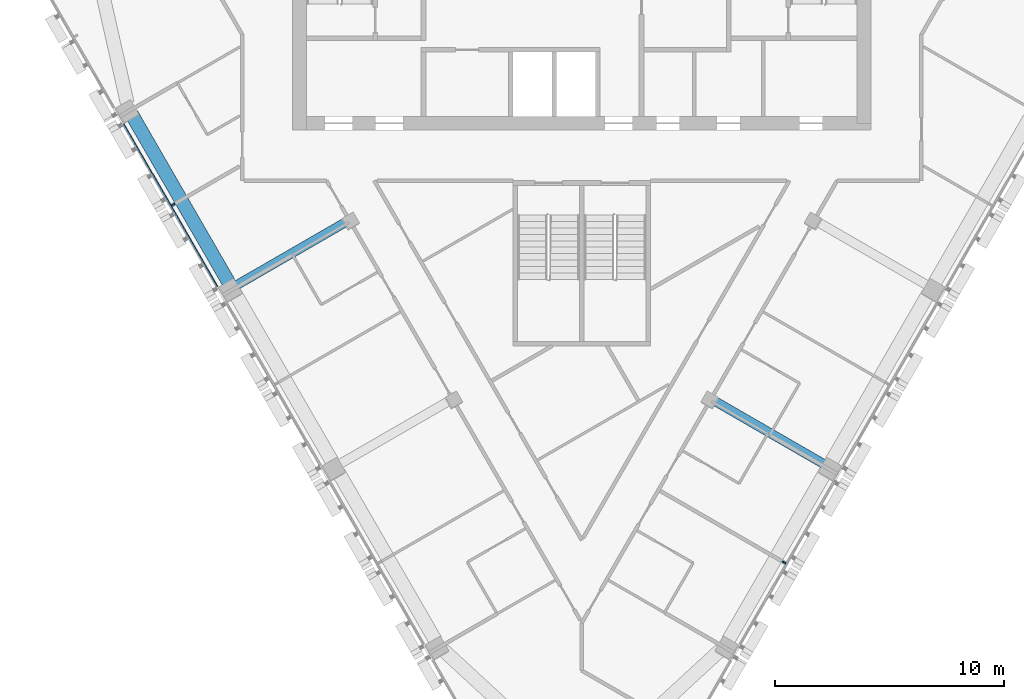
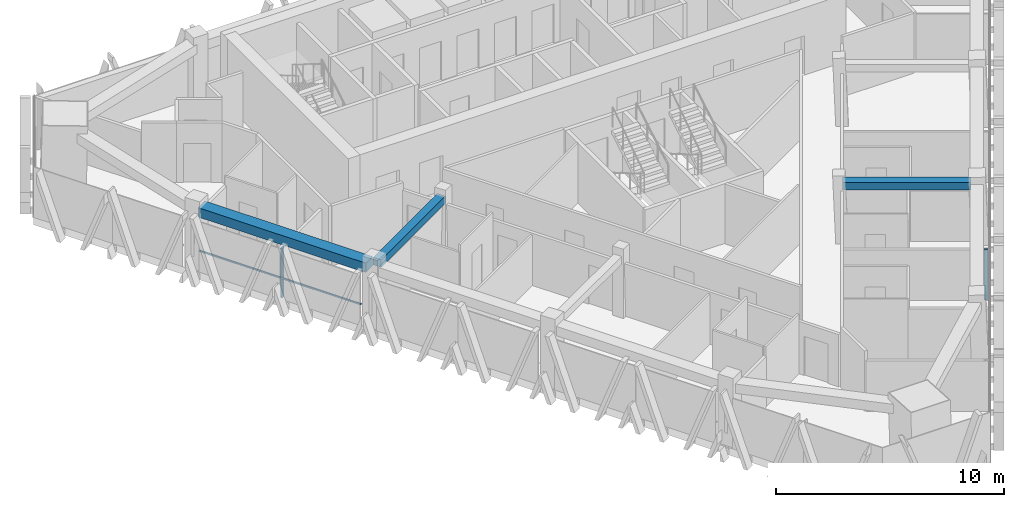
# One storey, part 3 of 14: 3 beams, 3 members, 2 elements without a shape of their own.
"""IFC4 building model written with IfcOpenShell, lengths in metres."""

from ifc_helpers import new_model, si_unit, direction, frame, origin, origin_2d, place, context, subcontext, project, spatial, rectangle, extrude, material, layer, layer_set, material_profile, profile_set, type_object, element, aggregate, save


model = new_model("IFC4")

# Units and contexts
model_context = context("Model", 3, precision=1e-05, world=origin(), true_north=direction((0.0, 1.0)))
body_context = subcontext(model_context, "Body", "Model", "MODEL_VIEW")
ifc_project = project(units=[si_unit("LENGTHUNIT", "METRE"), si_unit("AREAUNIT", "SQUARE_METRE"), si_unit("VOLUMEUNIT", "CUBIC_METRE"), si_unit("PLANEANGLEUNIT", "RADIAN"), si_unit("MASSUNIT", "GRAM", prefix="KILO")], contexts=[model_context])

# Site, building, storey
site_placement = place(None, origin())
site = spatial("IfcSite", under=ifc_project, at=site_placement, CompositionType="ELEMENT")
building_placement = place(site_placement, origin())
building = spatial("IfcBuilding", under=site, at=building_placement, Name="Altiplano Prism Tower", CompositionType="ELEMENT")
storey_placement = place(building_placement, frame((0.0, 0.0, 239.199951171875)))
storey = spatial("IfcBuildingStorey", under=building, at=storey_placement, Name="L61", CompositionType="ELEMENT", Elevation=239.199951171875)

# Curtain wall, member
ifc_material_1 = material(Name="Aluminium and glass", Category="aluminium")
ifc_layer = layer(ifc_material_1, 0.280029296875)
ifc_layer_set = layer_set([ifc_layer], Name="Aluminium and glass")
curtain_wall_type = type_object("IfcCurtainWallType", Name="CW1 typical co-living unitised curtain wall", PredefinedType="NOTDEFINED", material=ifc_layer_set)
curtain_wall_1_placement = place(storey_placement, origin())
curtain_wall_1 = element("IfcCurtainWall", 1, at=curtain_wall_1_placement, inside=storey, type_object=curtain_wall_type, Name="CW1 curtain wall south-west face L61", PredefinedType="NOTDEFINED")
ifc_material_2 = material(Name="Aluminium", Category="aluminium")
ifc_material_profile_1 = material_profile(ifc_material_2, rectangle(XDim=0.179931640625, YDim=0.06494140625, at=origin_2d()), Name="CW1 mullion 65 x 180")
ifc_profile_set_1 = profile_set([ifc_material_profile_1], Name="Aluminium")
member_type_1 = type_object("IfcMemberType", Name="CW1 mullion 65 x 180", PredefinedType="MULLION", material=ifc_profile_set_1)
member_1_placement = place(storey_placement, frame((67.19287109375, 89.5556640625, 0.0), z_axis=(0.0, 0.0, 1.0), x_axis=(0.866025402772, 0.500000001753, 0.0)))
member_1 = element("IfcMember", 2, at=member_1_placement, type_object=member_type_1, Name="CW1 mullion", PredefinedType="MULLION", context=body_context, shape_type="SweptSolid", body=[
    extrude(rectangle(XDim=0.179931640625, YDim=0.06494140625, at=origin_2d()), origin(), (0.0, 0.0, 1.0), 2.699951171875),
])

curtain_wall_2_placement = place(storey_placement, origin())
curtain_wall_2 = element("IfcCurtainWall", 3, at=curtain_wall_2_placement, inside=storey, type_object=curtain_wall_type, Name="CW1 curtain wall south-east face L61", PredefinedType="NOTDEFINED")
member_2_placement = place(storey_placement, frame((93.80712890625, 73.96728515625, 0.0), z_axis=(0.0, 0.0, 1.0), x_axis=(-0.866025402772, 0.500000001753, 0.0)))
member_2 = element("IfcMember", 4, at=member_2_placement, type_object=member_type_1, Name="CW1 mullion", PredefinedType="MULLION", context=body_context, shape_type="SweptSolid", body=[
    extrude(rectangle(XDim=0.179931640625, YDim=0.06494140625, at=origin_2d()), origin(), (0.0, 0.0, 1.0), 2.699951171875),
])
aggregate(curtain_wall_2, [member_2])

# Member
ifc_material_profile_2 = material_profile(ifc_material_2, rectangle(XDim=0.06005859375, YDim=0.080078125, at=origin_2d()), Name="CW1 transom 80 x 60")
ifc_profile_set_2 = profile_set([ifc_material_profile_2], Name="Aluminium")
member_type_2 = type_object("IfcMemberType", Name="CW1 transom 80 x 60", PredefinedType="USERDEFINED", material=ifc_profile_set_2)
member_3_placement = place(storey_placement, frame((65.02685546875, 93.067626953125, 1.10009765625), z_axis=(0.499995783154, -0.866027838368, 0.0), x_axis=(0.866027838368, 0.499995783154, 0.0)))
member_3 = element("IfcMember", 5, at=member_3_placement, type_object=member_type_2, Name="CW1 transom", ObjectType="TRANSOM", PredefinedType="USERDEFINED", context=body_context, shape_type="SweptSolid", body=[
    extrude(rectangle(XDim=0.06005859375, YDim=0.080078125, at=origin_2d()), origin(), (0.0, 0.0, 1.0), 8.169921875),
])

aggregate(curtain_wall_1, [member_1, member_3])

# Beams
ifc_material_3 = material(Name="Concrete C60/75", Category="concrete")
ifc_material_profile_3 = material_profile(ifc_material_3, rectangle(XDim=0.60009765625, YDim=0.5, at=origin_2d()), Name="Edge beam 600x500")
ifc_profile_set_3 = profile_set([ifc_material_profile_3], Name="Concrete C60/75")
beam_type_1 = type_object("IfcBeamType", Name="Edge beam 600x500", PredefinedType="SPANDREL", material=ifc_profile_set_3)
beam_placement = place(storey_placement, frame((65.375732421875, 93.50048828125, 2.949951171875), z_axis=(0.49998963237, -0.866031389456, 0.0), x_axis=(0.866031389456, 0.49998963237, 0.0)))
element("IfcBeam", 6, at=beam_placement, inside=storey, type_object=beam_type_1, Name="Edge beam P11-P12 L62", PredefinedType="SPANDREL", context=body_context, shape_type="SweptSolid", body=[
    extrude(rectangle(XDim=0.60009765625, YDim=0.5, at=origin_2d()), origin(), (0.0, 0.0, 1.0), 8.489990234375),
])
ifc_material_profile_4 = material_profile(ifc_material_3, rectangle(XDim=0.39990234375, YDim=0.39990234375, at=origin_2d()), Name="Tie beam 400x400")
ifc_profile_set_4 = profile_set([ifc_material_profile_4], Name="Concrete C60/75")
beam_type_2 = type_object("IfcBeamType", Name="Tie beam 400x400", PredefinedType="BEAM", material=ifc_profile_set_4)
for number, where, z_axis, x_axis, name in (
    (7, (74.853271484375, 88.874755859375, 3.0), (-0.866015459562, -0.500017223503, 0.0), (0.500017223503, -0.866015459562, 0.0), "Tie beam I12 L62"),
    (8, (90.646728515625, 81.08056640625, 3.0), (0.866015459562, -0.500017223503, 0.0), (0.500017223503, 0.866015459562, 0.0), "Tie beam I22 L62"),
):
    element("IfcBeam", number, at=place(storey_placement, frame(where, z_axis=z_axis, x_axis=x_axis)), inside=storey, type_object=beam_type_2, Name=name, PredefinedType="BEAM", context=body_context, shape_type="SweptSolid", body=[
        extrude(rectangle(XDim=0.39990234375, YDim=0.39990234375, at=origin_2d()), origin(), (0.0, 0.0, 1.0), 5.639892578125),
    ])

save(model, "model.ifc")
